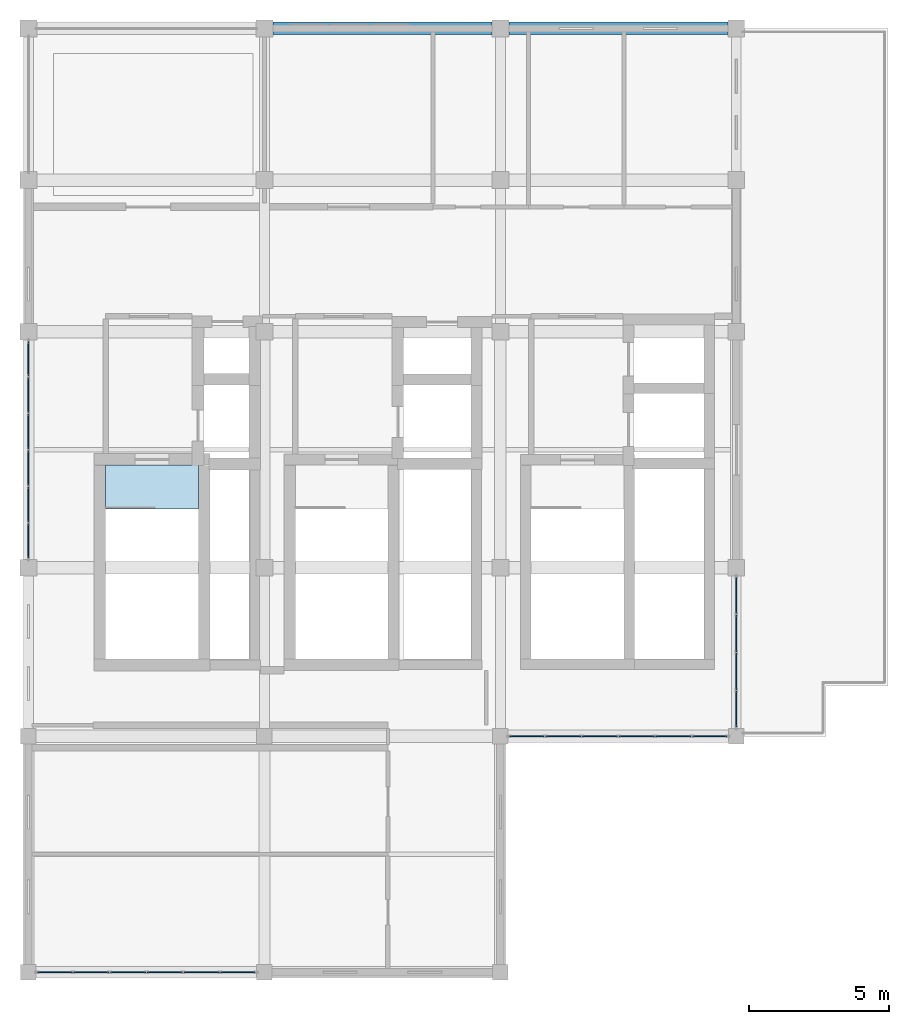
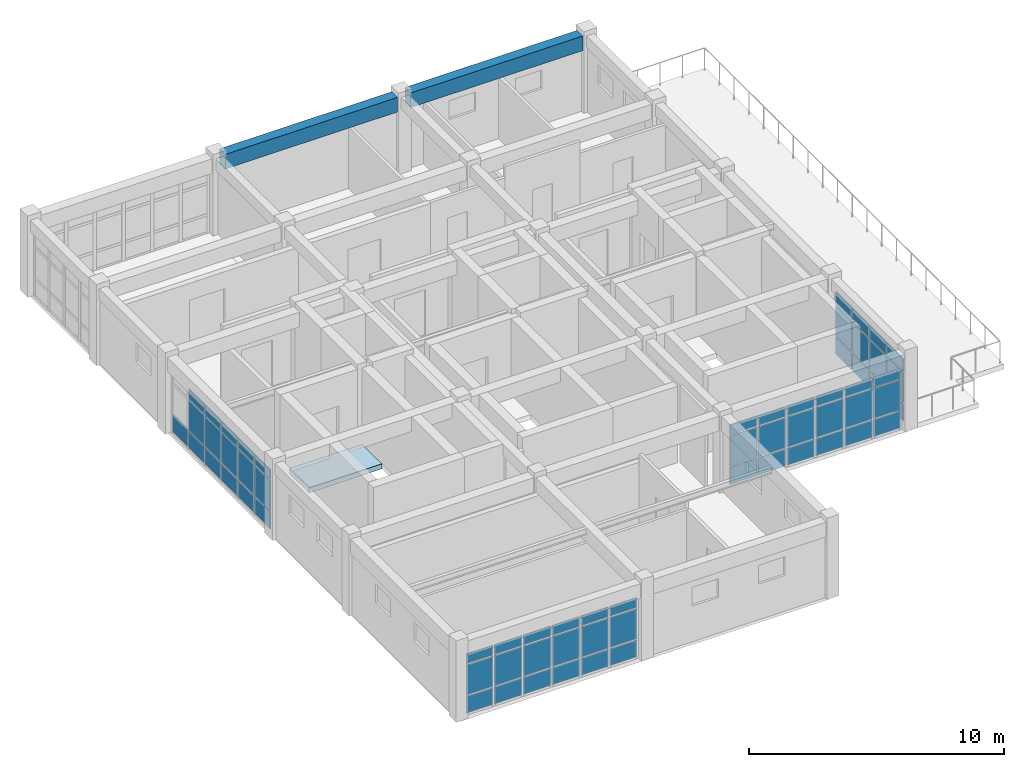
# One storey, part 12 of 17: 64 plates, 2 beams, 1 slab, 4 elements without a shape of their own.
"""IFC4 building model written with IfcOpenShell, lengths in metres."""

from ifc_helpers import new_model, si_unit, direction, frame, origin, origin_2d, place, context, subcontext, project, spatial, polyline, rectangle, outline, extrude, material, layer, layer_set, material_profile, profile_set, type_object, element, aggregate, save


model = new_model("IFC4")

# Units and contexts
model_context = context("Model", 3, precision=1e-05, world=origin(), true_north=direction((0.0, 1.0)))
body_context = subcontext(model_context, "Body", "Model", "MODEL_VIEW")
ifc_project = project(units=[si_unit("LENGTHUNIT", "METRE"), si_unit("AREAUNIT", "SQUARE_METRE"), si_unit("VOLUMEUNIT", "CUBIC_METRE"), si_unit("PLANEANGLEUNIT", "RADIAN"), si_unit("MASSUNIT", "GRAM", prefix="KILO")], contexts=[model_context])

# Site, building, storey
site_placement = place(None, origin())
site = spatial("IfcSite", under=ifc_project, at=site_placement, CompositionType="ELEMENT")
building_placement = place(site_placement, origin())
building = spatial("IfcBuilding", under=site, at=building_placement, Name="Krzemoval Escarpment Law Courts", CompositionType="ELEMENT")
storey_placement = place(building_placement, frame((0.0, 0.0, 42.0)))
storey = spatial("IfcBuildingStorey", under=building, at=storey_placement, Name="L09", CompositionType="ELEMENT", Elevation=42.0)

# Beams
ifc_material_1 = material(Name="Concrete C40/50", Category="concrete")
ifc_material_profile = material_profile(ifc_material_1, rectangle(XDim=0.449951171875, YDim=0.699951171875, at=origin_2d()), Name="RCB 450x700")
ifc_profile_set = profile_set([ifc_material_profile], Name="Concrete C40/50")
beam_type = type_object("IfcBeamType", Name="BM-RC-450x700", PredefinedType="BEAM", material=ifc_profile_set)
beam_1_placement = place(storey_placement, frame((134.699951171875, 118.800048828125, 3.31005859375), z_axis=(1.0, 0.0, 0.0), x_axis=(0.0, 1.0, 0.0)))
element("IfcBeam", 1, at=beam_1_placement, inside=storey, type_object=beam_type, Name="Beam FG-L09-2799", PredefinedType="BEAM", context=body_context, shape_type="SweptSolid", body=[
    extrude(rectangle(XDim=0.449951171875, YDim=0.699951171875, at=origin_2d()), origin(), (0.0, 0.0, 1.0), 7.800048828125),
])
beam_2_placement = place(storey_placement, frame((143.10009765625, 118.800048828125, 3.31005859375), z_axis=(1.0, 0.0, 0.0), x_axis=(0.0, 1.0, 0.0)))
element("IfcBeam", 2, at=beam_2_placement, inside=storey, type_object=beam_type, Name="Beam FG-L09-2800", PredefinedType="BEAM", context=body_context, shape_type="SweptSolid", body=[
    extrude(rectangle(XDim=0.449951171875, YDim=0.699951171875, at=origin_2d()), origin(), (0.0, 0.0, 1.0), 7.7998046875),
])

# Curtain wall, plates
ifc_material_2 = material(Name="Aluminium 6063-T6", Category="aluminium")
ifc_layer_1 = layer(ifc_material_2, 0.199951171875)
ifc_layer_set_1 = layer_set([ifc_layer_1], Name="Aluminium 6063-T6")
curtain_wall_type = type_object("IfcCurtainWallType", Name="CW-CRWN-3900", PredefinedType="USERDEFINED", material=ifc_layer_set_1)
curtain_wall_1_placement = place(storey_placement, origin())
curtain_wall_1 = element("IfcCurtainWall", 3, at=curtain_wall_1_placement, inside=storey, type_object=curtain_wall_type, Name="Unitised Curtain Wall FCW-L09-168", ObjectType="UNITISED_CURTAIN_WALL", PredefinedType="USERDEFINED")
ifc_material_3 = material(Name="Triple Glazing IGU", Category="glass")
ifc_layer_2 = layer(ifc_material_3, 0.035888671875)
ifc_layer_set_2 = layer_set([ifc_layer_2], Name="Triple Glazing IGU")
plate_type = type_object("IfcPlateType", Name="CWP-GLZ-36", PredefinedType="CURTAIN_PANEL", material=ifc_layer_set_2)
plate_1_placement = place(storey_placement, frame((133.455810546875, 85.199951171875, 0.06005859375), z_axis=(0.0, 0.0, 1.0), x_axis=(-1.0, 0.0, 0.0)))
plate_1 = element("IfcPlate", 4, at=plate_1_placement, type_object=plate_type, Name="FCW-L09-168 panel 1.1", PredefinedType="CURTAIN_PANEL", context=body_context, shape_type="SweptSolid", body=[
    extrude(rectangle(XDim=1.21826171875, YDim=0.035888671875, at=origin_2d()), origin(), (0.0, 0.0, 1.0), 0.81005859375),
])
plate_2_placement = place(storey_placement, frame((133.455810546875, 85.199951171875, 0.929931640625), z_axis=(0.0, 0.0, 1.0), x_axis=(-1.0, 0.0, 0.0)))
plate_2 = element("IfcPlate", 5, at=plate_2_placement, type_object=plate_type, Name="FCW-L09-168 panel 1.2", PredefinedType="CURTAIN_PANEL", context=body_context, shape_type="SweptSolid", body=[
    extrude(rectangle(XDim=1.21826171875, YDim=0.035888671875, at=origin_2d()), origin(), (0.0, 0.0, 1.0), 1.43994140625),
])
plate_3_placement = place(storey_placement, frame((133.455810546875, 85.199951171875, 2.43017578125), z_axis=(0.0, 0.0, 1.0), x_axis=(-1.0, 0.0, 0.0)))
plate_3 = element("IfcPlate", 6, at=plate_3_placement, type_object=plate_type, Name="FCW-L09-168 panel 1.3", PredefinedType="CURTAIN_PANEL", context=body_context, shape_type="SweptSolid", body=[
    extrude(rectangle(XDim=1.21826171875, YDim=0.035888671875, at=origin_2d()), origin(), (0.0, 0.0, 1.0), 0.469970703125),
])
plate_4_placement = place(storey_placement, frame((132.16259765625, 85.199951171875, 0.06005859375), z_axis=(0.0, 0.0, 1.0), x_axis=(-1.0, 0.0, 0.0)))
plate_4 = element("IfcPlate", 7, at=plate_4_placement, type_object=plate_type, Name="FCW-L09-168 panel 2.1", PredefinedType="CURTAIN_PANEL", context=body_context, shape_type="SweptSolid", body=[
    extrude(rectangle(XDim=1.248291015625, YDim=0.035888671875, at=origin_2d()), origin(), (0.0, 0.0, 1.0), 0.81005859375),
])
plate_5_placement = place(storey_placement, frame((132.16259765625, 85.199951171875, 0.929931640625), z_axis=(0.0, 0.0, 1.0), x_axis=(-1.0, 0.0, 0.0)))
plate_5 = element("IfcPlate", 8, at=plate_5_placement, type_object=plate_type, Name="FCW-L09-168 panel 2.2", PredefinedType="CURTAIN_PANEL", context=body_context, shape_type="SweptSolid", body=[
    extrude(rectangle(XDim=1.248291015625, YDim=0.035888671875, at=origin_2d()), origin(), (0.0, 0.0, 1.0), 1.43994140625),
])
plate_6_placement = place(storey_placement, frame((132.16259765625, 85.199951171875, 2.43017578125), z_axis=(0.0, 0.0, 1.0), x_axis=(-1.0, 0.0, 0.0)))
plate_6 = element("IfcPlate", 9, at=plate_6_placement, type_object=plate_type, Name="FCW-L09-168 panel 2.3", PredefinedType="CURTAIN_PANEL", context=body_context, shape_type="SweptSolid", body=[
    extrude(rectangle(XDim=1.248291015625, YDim=0.035888671875, at=origin_2d()), origin(), (0.0, 0.0, 1.0), 0.469970703125),
])
plate_7_placement = place(storey_placement, frame((130.854248046875, 85.199951171875, 0.06005859375), z_axis=(0.0, 0.0, 1.0), x_axis=(-1.0, 0.0, 0.0)))
plate_7 = element("IfcPlate", 10, at=plate_7_placement, type_object=plate_type, Name="FCW-L09-168 panel 3.1", PredefinedType="CURTAIN_PANEL", context=body_context, shape_type="SweptSolid", body=[
    extrude(rectangle(XDim=1.248291015625, YDim=0.035888671875, at=origin_2d()), origin(), (0.0, 0.0, 1.0), 0.81005859375),
])
plate_8_placement = place(storey_placement, frame((130.854248046875, 85.199951171875, 0.929931640625), z_axis=(0.0, 0.0, 1.0), x_axis=(-1.0, 0.0, 0.0)))
plate_8 = element("IfcPlate", 11, at=plate_8_placement, type_object=plate_type, Name="FCW-L09-168 panel 3.2", PredefinedType="CURTAIN_PANEL", context=body_context, shape_type="SweptSolid", body=[
    extrude(rectangle(XDim=1.248291015625, YDim=0.035888671875, at=origin_2d()), origin(), (0.0, 0.0, 1.0), 1.43994140625),
])
plate_9_placement = place(storey_placement, frame((130.854248046875, 85.199951171875, 2.43017578125), z_axis=(0.0, 0.0, 1.0), x_axis=(-1.0, 0.0, 0.0)))
plate_9 = element("IfcPlate", 12, at=plate_9_placement, type_object=plate_type, Name="FCW-L09-168 panel 3.3", PredefinedType="CURTAIN_PANEL", context=body_context, shape_type="SweptSolid", body=[
    extrude(rectangle(XDim=1.248291015625, YDim=0.035888671875, at=origin_2d()), origin(), (0.0, 0.0, 1.0), 0.469970703125),
])
plate_10_placement = place(storey_placement, frame((129.5458984375, 85.199951171875, 0.06005859375), z_axis=(0.0, 0.0, 1.0), x_axis=(-1.0, 0.0, 0.0)))
plate_10 = element("IfcPlate", 13, at=plate_10_placement, type_object=plate_type, Name="FCW-L09-168 panel 4.1", PredefinedType="CURTAIN_PANEL", context=body_context, shape_type="SweptSolid", body=[
    extrude(rectangle(XDim=1.248291015625, YDim=0.035888671875, at=origin_2d()), origin(), (0.0, 0.0, 1.0), 0.81005859375),
])
plate_11_placement = place(storey_placement, frame((129.5458984375, 85.199951171875, 0.929931640625), z_axis=(0.0, 0.0, 1.0), x_axis=(-1.0, 0.0, 0.0)))
plate_11 = element("IfcPlate", 14, at=plate_11_placement, type_object=plate_type, Name="FCW-L09-168 panel 4.2", PredefinedType="CURTAIN_PANEL", context=body_context, shape_type="SweptSolid", body=[
    extrude(rectangle(XDim=1.248291015625, YDim=0.035888671875, at=origin_2d()), origin(), (0.0, 0.0, 1.0), 1.43994140625),
])
plate_12_placement = place(storey_placement, frame((129.5458984375, 85.199951171875, 2.43017578125), z_axis=(0.0, 0.0, 1.0), x_axis=(-1.0, 0.0, 0.0)))
plate_12 = element("IfcPlate", 15, at=plate_12_placement, type_object=plate_type, Name="FCW-L09-168 panel 4.3", PredefinedType="CURTAIN_PANEL", context=body_context, shape_type="SweptSolid", body=[
    extrude(rectangle(XDim=1.248291015625, YDim=0.035888671875, at=origin_2d()), origin(), (0.0, 0.0, 1.0), 0.469970703125),
])
plate_13_placement = place(storey_placement, frame((128.237548828125, 85.199951171875, 0.06005859375), z_axis=(0.0, 0.0, 1.0), x_axis=(-1.0, 0.0, 0.0)))
plate_13 = element("IfcPlate", 16, at=plate_13_placement, type_object=plate_type, Name="FCW-L09-168 panel 5.1", PredefinedType="CURTAIN_PANEL", context=body_context, shape_type="SweptSolid", body=[
    extrude(rectangle(XDim=1.248291015625, YDim=0.035888671875, at=origin_2d()), origin(), (0.0, 0.0, 1.0), 0.81005859375),
])
plate_14_placement = place(storey_placement, frame((128.237548828125, 85.199951171875, 0.929931640625), z_axis=(0.0, 0.0, 1.0), x_axis=(-1.0, 0.0, 0.0)))
plate_14 = element("IfcPlate", 17, at=plate_14_placement, type_object=plate_type, Name="FCW-L09-168 panel 5.2", PredefinedType="CURTAIN_PANEL", context=body_context, shape_type="SweptSolid", body=[
    extrude(rectangle(XDim=1.248291015625, YDim=0.035888671875, at=origin_2d()), origin(), (0.0, 0.0, 1.0), 1.43994140625),
])
plate_15_placement = place(storey_placement, frame((128.237548828125, 85.199951171875, 2.43017578125), z_axis=(0.0, 0.0, 1.0), x_axis=(-1.0, 0.0, 0.0)))
plate_15 = element("IfcPlate", 18, at=plate_15_placement, type_object=plate_type, Name="FCW-L09-168 panel 5.3", PredefinedType="CURTAIN_PANEL", context=body_context, shape_type="SweptSolid", body=[
    extrude(rectangle(XDim=1.248291015625, YDim=0.035888671875, at=origin_2d()), origin(), (0.0, 0.0, 1.0), 0.469970703125),
])
plate_16_placement = place(storey_placement, frame((126.944091796875, 85.199951171875, 0.06005859375), z_axis=(0.0, 0.0, 1.0), x_axis=(-1.0, 0.0, 0.0)))
plate_16 = element("IfcPlate", 19, at=plate_16_placement, type_object=plate_type, Name="FCW-L09-168 panel 6.1", PredefinedType="CURTAIN_PANEL", context=body_context, shape_type="SweptSolid", body=[
    extrude(rectangle(XDim=1.21826171875, YDim=0.035888671875, at=origin_2d()), origin(), (0.0, 0.0, 1.0), 0.81005859375),
])
plate_17_placement = place(storey_placement, frame((126.944091796875, 85.199951171875, 0.929931640625), z_axis=(0.0, 0.0, 1.0), x_axis=(-1.0, 0.0, 0.0)))
plate_17 = element("IfcPlate", 20, at=plate_17_placement, type_object=plate_type, Name="FCW-L09-168 panel 6.2", PredefinedType="CURTAIN_PANEL", context=body_context, shape_type="SweptSolid", body=[
    extrude(rectangle(XDim=1.21826171875, YDim=0.035888671875, at=origin_2d()), origin(), (0.0, 0.0, 1.0), 1.43994140625),
])
plate_18_placement = place(storey_placement, frame((126.944091796875, 85.199951171875, 2.43017578125), z_axis=(0.0, 0.0, 1.0), x_axis=(-1.0, 0.0, 0.0)))
plate_18 = element("IfcPlate", 21, at=plate_18_placement, type_object=plate_type, Name="FCW-L09-168 panel 6.3", PredefinedType="CURTAIN_PANEL", context=body_context, shape_type="SweptSolid", body=[
    extrude(rectangle(XDim=1.21826171875, YDim=0.035888671875, at=origin_2d()), origin(), (0.0, 0.0, 1.0), 0.469970703125),
])
aggregate(curtain_wall_1, [plate_1, plate_2, plate_3, plate_4, plate_5, plate_6, plate_7, plate_8, plate_9, plate_10, plate_11, plate_12, plate_13, plate_14, plate_15, plate_16, plate_17, plate_18])

curtain_wall_2_placement = place(storey_placement, origin())
curtain_wall_2 = element("IfcCurtainWall", 22, at=curtain_wall_2_placement, inside=storey, type_object=curtain_wall_type, Name="Unitised Curtain Wall FCW-L09-169", ObjectType="UNITISED_CURTAIN_WALL", PredefinedType="USERDEFINED")
plate_19_placement = place(storey_placement, frame((126.0, 100.56494140625, 0.06005859375), z_axis=(0.0, 0.0, 1.0), x_axis=(0.0, 1.0, 0.0)))
plate_19 = element("IfcPlate", 23, at=plate_19_placement, type_object=plate_type, Name="FCW-L09-169 panel 1.1", PredefinedType="CURTAIN_PANEL", context=body_context, shape_type="SweptSolid", body=[
    extrude(rectangle(XDim=1.2099609375, YDim=0.035888671875, at=origin_2d()), origin(), (0.0, 0.0, 1.0), 0.81005859375),
])
plate_20_placement = place(storey_placement, frame((126.0, 100.56494140625, 0.929931640625), z_axis=(0.0, 0.0, 1.0), x_axis=(0.0, 1.0, 0.0)))
plate_20 = element("IfcPlate", 24, at=plate_20_placement, type_object=plate_type, Name="FCW-L09-169 panel 1.2", PredefinedType="CURTAIN_PANEL", context=body_context, shape_type="SweptSolid", body=[
    extrude(rectangle(XDim=1.2099609375, YDim=0.035888671875, at=origin_2d()), origin(), (0.0, 0.0, 1.0), 1.43994140625),
])
plate_21_placement = place(storey_placement, frame((126.0, 100.56494140625, 2.43017578125), z_axis=(0.0, 0.0, 1.0), x_axis=(0.0, 1.0, 0.0)))
plate_21 = element("IfcPlate", 25, at=plate_21_placement, type_object=plate_type, Name="FCW-L09-169 panel 1.3", PredefinedType="CURTAIN_PANEL", context=body_context, shape_type="SweptSolid", body=[
    extrude(rectangle(XDim=1.2099609375, YDim=0.035888671875, at=origin_2d()), origin(), (0.0, 0.0, 1.0), 0.469970703125),
])
plate_22_placement = place(storey_placement, frame((126.0, 101.85009765625, 0.06005859375), z_axis=(0.0, 0.0, 1.0), x_axis=(0.0, 1.0, 0.0)))
plate_22 = element("IfcPlate", 26, at=plate_22_placement, type_object=plate_type, Name="FCW-L09-169 panel 2.1", PredefinedType="CURTAIN_PANEL", context=body_context, shape_type="SweptSolid", body=[
    extrude(rectangle(XDim=1.239990234375, YDim=0.035888671875, at=origin_2d()), origin(), (0.0, 0.0, 1.0), 0.81005859375),
])
plate_23_placement = place(storey_placement, frame((126.0, 101.85009765625, 0.929931640625), z_axis=(0.0, 0.0, 1.0), x_axis=(0.0, 1.0, 0.0)))
plate_23 = element("IfcPlate", 27, at=plate_23_placement, type_object=plate_type, Name="FCW-L09-169 panel 2.2", PredefinedType="CURTAIN_PANEL", context=body_context, shape_type="SweptSolid", body=[
    extrude(rectangle(XDim=1.239990234375, YDim=0.035888671875, at=origin_2d()), origin(), (0.0, 0.0, 1.0), 1.43994140625),
])
plate_24_placement = place(storey_placement, frame((126.0, 101.85009765625, 2.43017578125), z_axis=(0.0, 0.0, 1.0), x_axis=(0.0, 1.0, 0.0)))
plate_24 = element("IfcPlate", 28, at=plate_24_placement, type_object=plate_type, Name="FCW-L09-169 panel 2.3", PredefinedType="CURTAIN_PANEL", context=body_context, shape_type="SweptSolid", body=[
    extrude(rectangle(XDim=1.239990234375, YDim=0.035888671875, at=origin_2d()), origin(), (0.0, 0.0, 1.0), 0.469970703125),
])
plate_25_placement = place(storey_placement, frame((126.0, 103.14990234375, 0.06005859375), z_axis=(0.0, 0.0, 1.0), x_axis=(0.0, 1.0, 0.0)))
plate_25 = element("IfcPlate", 29, at=plate_25_placement, type_object=plate_type, Name="FCW-L09-169 panel 3.1", PredefinedType="CURTAIN_PANEL", context=body_context, shape_type="SweptSolid", body=[
    extrude(rectangle(XDim=1.239990234375, YDim=0.035888671875, at=origin_2d()), origin(), (0.0, 0.0, 1.0), 0.81005859375),
])
plate_26_placement = place(storey_placement, frame((126.0, 103.14990234375, 0.929931640625), z_axis=(0.0, 0.0, 1.0), x_axis=(0.0, 1.0, 0.0)))
plate_26 = element("IfcPlate", 30, at=plate_26_placement, type_object=plate_type, Name="FCW-L09-169 panel 3.2", PredefinedType="CURTAIN_PANEL", context=body_context, shape_type="SweptSolid", body=[
    extrude(rectangle(XDim=1.239990234375, YDim=0.035888671875, at=origin_2d()), origin(), (0.0, 0.0, 1.0), 1.43994140625),
])
plate_27_placement = place(storey_placement, frame((126.0, 103.14990234375, 2.43017578125), z_axis=(0.0, 0.0, 1.0), x_axis=(0.0, 1.0, 0.0)))
plate_27 = element("IfcPlate", 31, at=plate_27_placement, type_object=plate_type, Name="FCW-L09-169 panel 3.3", PredefinedType="CURTAIN_PANEL", context=body_context, shape_type="SweptSolid", body=[
    extrude(rectangle(XDim=1.239990234375, YDim=0.035888671875, at=origin_2d()), origin(), (0.0, 0.0, 1.0), 0.469970703125),
])
plate_28_placement = place(storey_placement, frame((126.0, 104.449951171875, 0.06005859375), z_axis=(0.0, 0.0, 1.0), x_axis=(0.0, 1.0, 0.0)))
plate_28 = element("IfcPlate", 32, at=plate_28_placement, type_object=plate_type, Name="FCW-L09-169 panel 4.1", PredefinedType="CURTAIN_PANEL", context=body_context, shape_type="SweptSolid", body=[
    extrude(rectangle(XDim=1.239990234375, YDim=0.035888671875, at=origin_2d()), origin(), (0.0, 0.0, 1.0), 0.81005859375),
])
plate_29_placement = place(storey_placement, frame((126.0, 104.449951171875, 0.929931640625), z_axis=(0.0, 0.0, 1.0), x_axis=(0.0, 1.0, 0.0)))
plate_29 = element("IfcPlate", 33, at=plate_29_placement, type_object=plate_type, Name="FCW-L09-169 panel 4.2", PredefinedType="CURTAIN_PANEL", context=body_context, shape_type="SweptSolid", body=[
    extrude(rectangle(XDim=1.239990234375, YDim=0.035888671875, at=origin_2d()), origin(), (0.0, 0.0, 1.0), 1.43994140625),
])
plate_30_placement = place(storey_placement, frame((126.0, 104.449951171875, 2.43017578125), z_axis=(0.0, 0.0, 1.0), x_axis=(0.0, 1.0, 0.0)))
plate_30 = element("IfcPlate", 34, at=plate_30_placement, type_object=plate_type, Name="FCW-L09-169 panel 4.3", PredefinedType="CURTAIN_PANEL", context=body_context, shape_type="SweptSolid", body=[
    extrude(rectangle(XDim=1.239990234375, YDim=0.035888671875, at=origin_2d()), origin(), (0.0, 0.0, 1.0), 0.469970703125),
])
plate_31_placement = place(storey_placement, frame((126.0, 105.75, 0.06005859375), z_axis=(0.0, 0.0, 1.0), x_axis=(0.0, 1.0, 0.0)))
plate_31 = element("IfcPlate", 35, at=plate_31_placement, type_object=plate_type, Name="FCW-L09-169 panel 5.1", PredefinedType="CURTAIN_PANEL", context=body_context, shape_type="SweptSolid", body=[
    extrude(rectangle(XDim=1.239990234375, YDim=0.035888671875, at=origin_2d()), origin(), (0.0, 0.0, 1.0), 0.81005859375),
])
plate_32_placement = place(storey_placement, frame((126.0, 105.75, 0.929931640625), z_axis=(0.0, 0.0, 1.0), x_axis=(0.0, 1.0, 0.0)))
plate_32 = element("IfcPlate", 36, at=plate_32_placement, type_object=plate_type, Name="FCW-L09-169 panel 5.2", PredefinedType="CURTAIN_PANEL", context=body_context, shape_type="SweptSolid", body=[
    extrude(rectangle(XDim=1.239990234375, YDim=0.035888671875, at=origin_2d()), origin(), (0.0, 0.0, 1.0), 1.43994140625),
])
plate_33_placement = place(storey_placement, frame((126.0, 105.75, 2.43017578125), z_axis=(0.0, 0.0, 1.0), x_axis=(0.0, 1.0, 0.0)))
plate_33 = element("IfcPlate", 37, at=plate_33_placement, type_object=plate_type, Name="FCW-L09-169 panel 5.3", PredefinedType="CURTAIN_PANEL", context=body_context, shape_type="SweptSolid", body=[
    extrude(rectangle(XDim=1.239990234375, YDim=0.035888671875, at=origin_2d()), origin(), (0.0, 0.0, 1.0), 0.469970703125),
])
plate_34_placement = place(storey_placement, frame((126.0, 107.034912109375, 0.06005859375), z_axis=(0.0, 0.0, 1.0), x_axis=(0.0, 1.0, 0.0)))
plate_34 = element("IfcPlate", 38, at=plate_34_placement, type_object=plate_type, Name="FCW-L09-169 panel 6.1", PredefinedType="CURTAIN_PANEL", context=body_context, shape_type="SweptSolid", body=[
    extrude(rectangle(XDim=1.2099609375, YDim=0.035888671875, at=origin_2d()), origin(), (0.0, 0.0, 1.0), 0.81005859375),
])
aggregate(curtain_wall_2, [plate_19, plate_20, plate_21, plate_22, plate_23, plate_24, plate_25, plate_26, plate_27, plate_28, plate_29, plate_30, plate_31, plate_32, plate_33, plate_34])

curtain_wall_3_placement = place(storey_placement, origin())
curtain_wall_3 = element("IfcCurtainWall", 39, at=curtain_wall_3_placement, inside=storey, type_object=curtain_wall_type, Name="Unitised Curtain Wall FCW-L09-172", ObjectType="UNITISED_CURTAIN_WALL", PredefinedType="USERDEFINED")
plate_35_placement = place(storey_placement, frame((151.199951171875, 98.60693359375, 0.06005859375), z_axis=(0.0, 0.0, 1.0), x_axis=(0.0, -1.0, 0.0)))
plate_35 = element("IfcPlate", 40, at=plate_35_placement, type_object=plate_type, Name="FCW-L09-172 panel 1.1", PredefinedType="CURTAIN_PANEL", context=body_context, shape_type="SweptSolid", body=[
    extrude(rectangle(XDim=1.266357421875, YDim=0.035888671875, at=origin_2d()), origin(), (0.0, 0.0, 1.0), 0.81005859375),
])
plate_36_placement = place(storey_placement, frame((151.199951171875, 98.60693359375, 0.929931640625), z_axis=(0.0, 0.0, 1.0), x_axis=(0.0, -1.0, 0.0)))
plate_36 = element("IfcPlate", 41, at=plate_36_placement, type_object=plate_type, Name="FCW-L09-172 panel 1.2", PredefinedType="CURTAIN_PANEL", context=body_context, shape_type="SweptSolid", body=[
    extrude(rectangle(XDim=1.266357421875, YDim=0.035888671875, at=origin_2d()), origin(), (0.0, 0.0, 1.0), 1.43994140625),
])
plate_37_placement = place(storey_placement, frame((151.199951171875, 98.60693359375, 2.429931640625), z_axis=(0.0, 0.0, 1.0), x_axis=(0.0, -1.0, 0.0)))
plate_37 = element("IfcPlate", 42, at=plate_37_placement, type_object=plate_type, Name="FCW-L09-172 panel 1.3", PredefinedType="CURTAIN_PANEL", context=body_context, shape_type="SweptSolid", body=[
    extrude(rectangle(XDim=1.266357421875, YDim=0.035888671875, at=origin_2d()), origin(), (0.0, 0.0, 1.0), 0.6201171875),
])
plate_38_placement = place(storey_placement, frame((151.199951171875, 97.265625, 0.06005859375), z_axis=(0.0, 0.0, 1.0), x_axis=(0.0, -1.0, 0.0)))
plate_38 = element("IfcPlate", 43, at=plate_38_placement, type_object=plate_type, Name="FCW-L09-172 panel 2.1", PredefinedType="CURTAIN_PANEL", context=body_context, shape_type="SweptSolid", body=[
    extrude(rectangle(XDim=1.296142578125, YDim=0.035888671875, at=origin_2d()), origin(), (0.0, 0.0, 1.0), 0.81005859375),
])
plate_39_placement = place(storey_placement, frame((151.199951171875, 97.265625, 0.929931640625), z_axis=(0.0, 0.0, 1.0), x_axis=(0.0, -1.0, 0.0)))
plate_39 = element("IfcPlate", 44, at=plate_39_placement, type_object=plate_type, Name="FCW-L09-172 panel 2.2", PredefinedType="CURTAIN_PANEL", context=body_context, shape_type="SweptSolid", body=[
    extrude(rectangle(XDim=1.296142578125, YDim=0.035888671875, at=origin_2d()), origin(), (0.0, 0.0, 1.0), 1.43994140625),
])
plate_40_placement = place(storey_placement, frame((151.199951171875, 97.265625, 2.429931640625), z_axis=(0.0, 0.0, 1.0), x_axis=(0.0, -1.0, 0.0)))
plate_40 = element("IfcPlate", 45, at=plate_40_placement, type_object=plate_type, Name="FCW-L09-172 panel 2.3", PredefinedType="CURTAIN_PANEL", context=body_context, shape_type="SweptSolid", body=[
    extrude(rectangle(XDim=1.296142578125, YDim=0.035888671875, at=origin_2d()), origin(), (0.0, 0.0, 1.0), 0.6201171875),
])
plate_41_placement = place(storey_placement, frame((151.199951171875, 95.909423828125, 0.06005859375), z_axis=(0.0, 0.0, 1.0), x_axis=(0.0, -1.0, 0.0)))
plate_41 = element("IfcPlate", 46, at=plate_41_placement, type_object=plate_type, Name="FCW-L09-172 panel 3.1", PredefinedType="CURTAIN_PANEL", context=body_context, shape_type="SweptSolid", body=[
    extrude(rectangle(XDim=1.296142578125, YDim=0.035888671875, at=origin_2d()), origin(), (0.0, 0.0, 1.0), 0.81005859375),
])
plate_42_placement = place(storey_placement, frame((151.199951171875, 95.909423828125, 0.929931640625), z_axis=(0.0, 0.0, 1.0), x_axis=(0.0, -1.0, 0.0)))
plate_42 = element("IfcPlate", 47, at=plate_42_placement, type_object=plate_type, Name="FCW-L09-172 panel 3.2", PredefinedType="CURTAIN_PANEL", context=body_context, shape_type="SweptSolid", body=[
    extrude(rectangle(XDim=1.296142578125, YDim=0.035888671875, at=origin_2d()), origin(), (0.0, 0.0, 1.0), 1.43994140625),
])
plate_43_placement = place(storey_placement, frame((151.199951171875, 95.909423828125, 2.429931640625), z_axis=(0.0, 0.0, 1.0), x_axis=(0.0, -1.0, 0.0)))
plate_43 = element("IfcPlate", 48, at=plate_43_placement, type_object=plate_type, Name="FCW-L09-172 panel 3.3", PredefinedType="CURTAIN_PANEL", context=body_context, shape_type="SweptSolid", body=[
    extrude(rectangle(XDim=1.296142578125, YDim=0.035888671875, at=origin_2d()), origin(), (0.0, 0.0, 1.0), 0.6201171875),
])
plate_44_placement = place(storey_placement, frame((151.199951171875, 94.568115234375, 0.06005859375), z_axis=(0.0, 0.0, 1.0), x_axis=(0.0, -1.0, 0.0)))
plate_44 = element("IfcPlate", 49, at=plate_44_placement, type_object=plate_type, Name="FCW-L09-172 panel 4.1", PredefinedType="CURTAIN_PANEL", context=body_context, shape_type="SweptSolid", body=[
    extrude(rectangle(XDim=1.266357421875, YDim=0.035888671875, at=origin_2d()), origin(), (0.0, 0.0, 1.0), 0.81005859375),
])
plate_45_placement = place(storey_placement, frame((151.199951171875, 94.568115234375, 0.929931640625), z_axis=(0.0, 0.0, 1.0), x_axis=(0.0, -1.0, 0.0)))
plate_45 = element("IfcPlate", 50, at=plate_45_placement, type_object=plate_type, Name="FCW-L09-172 panel 4.2", PredefinedType="CURTAIN_PANEL", context=body_context, shape_type="SweptSolid", body=[
    extrude(rectangle(XDim=1.266357421875, YDim=0.035888671875, at=origin_2d()), origin(), (0.0, 0.0, 1.0), 1.43994140625),
])
plate_46_placement = place(storey_placement, frame((151.199951171875, 94.568115234375, 2.429931640625), z_axis=(0.0, 0.0, 1.0), x_axis=(0.0, -1.0, 0.0)))
plate_46 = element("IfcPlate", 51, at=plate_46_placement, type_object=plate_type, Name="FCW-L09-172 panel 4.3", PredefinedType="CURTAIN_PANEL", context=body_context, shape_type="SweptSolid", body=[
    extrude(rectangle(XDim=1.266357421875, YDim=0.035888671875, at=origin_2d()), origin(), (0.0, 0.0, 1.0), 0.6201171875),
])
aggregate(curtain_wall_3, [plate_35, plate_36, plate_37, plate_38, plate_39, plate_40, plate_41, plate_42, plate_43, plate_44, plate_45, plate_46])

curtain_wall_4_placement = place(storey_placement, origin())
curtain_wall_4 = element("IfcCurtainWall", 52, at=curtain_wall_4_placement, inside=storey, type_object=curtain_wall_type, Name="Unitised Curtain Wall FCW-L09-173", ObjectType="UNITISED_CURTAIN_WALL", PredefinedType="USERDEFINED")
plate_47_placement = place(storey_placement, frame((150.255859375, 93.60009765625, 0.06005859375), z_axis=(0.0, 0.0, 1.0), x_axis=(-1.0, 0.0, 0.0)))
plate_47 = element("IfcPlate", 53, at=plate_47_placement, type_object=plate_type, Name="FCW-L09-173 panel 1.1", PredefinedType="CURTAIN_PANEL", context=body_context, shape_type="SweptSolid", body=[
    extrude(rectangle(XDim=1.21826171875, YDim=0.035888671875, at=origin_2d()), origin(), (0.0, 0.0, 1.0), 0.81005859375),
])
plate_48_placement = place(storey_placement, frame((150.255859375, 93.60009765625, 0.929931640625), z_axis=(0.0, 0.0, 1.0), x_axis=(-1.0, 0.0, 0.0)))
plate_48 = element("IfcPlate", 54, at=plate_48_placement, type_object=plate_type, Name="FCW-L09-173 panel 1.2", PredefinedType="CURTAIN_PANEL", context=body_context, shape_type="SweptSolid", body=[
    extrude(rectangle(XDim=1.21826171875, YDim=0.035888671875, at=origin_2d()), origin(), (0.0, 0.0, 1.0), 1.43994140625),
])
plate_49_placement = place(storey_placement, frame((150.255859375, 93.60009765625, 2.43017578125), z_axis=(0.0, 0.0, 1.0), x_axis=(-1.0, 0.0, 0.0)))
plate_49 = element("IfcPlate", 55, at=plate_49_placement, type_object=plate_type, Name="FCW-L09-173 panel 1.3", PredefinedType="CURTAIN_PANEL", context=body_context, shape_type="SweptSolid", body=[
    extrude(rectangle(XDim=1.21826171875, YDim=0.035888671875, at=origin_2d()), origin(), (0.0, 0.0, 1.0), 0.469970703125),
])
plate_50_placement = place(storey_placement, frame((148.96240234375, 93.60009765625, 0.06005859375), z_axis=(0.0, 0.0, 1.0), x_axis=(-1.0, 0.0, 0.0)))
plate_50 = element("IfcPlate", 56, at=plate_50_placement, type_object=plate_type, Name="FCW-L09-173 panel 2.1", PredefinedType="CURTAIN_PANEL", context=body_context, shape_type="SweptSolid", body=[
    extrude(rectangle(XDim=1.248291015625, YDim=0.035888671875, at=origin_2d()), origin(), (0.0, 0.0, 1.0), 0.81005859375),
])
plate_51_placement = place(storey_placement, frame((148.96240234375, 93.60009765625, 0.929931640625), z_axis=(0.0, 0.0, 1.0), x_axis=(-1.0, 0.0, 0.0)))
plate_51 = element("IfcPlate", 57, at=plate_51_placement, type_object=plate_type, Name="FCW-L09-173 panel 2.2", PredefinedType="CURTAIN_PANEL", context=body_context, shape_type="SweptSolid", body=[
    extrude(rectangle(XDim=1.248291015625, YDim=0.035888671875, at=origin_2d()), origin(), (0.0, 0.0, 1.0), 1.43994140625),
])
plate_52_placement = place(storey_placement, frame((148.96240234375, 93.60009765625, 2.43017578125), z_axis=(0.0, 0.0, 1.0), x_axis=(-1.0, 0.0, 0.0)))
plate_52 = element("IfcPlate", 58, at=plate_52_placement, type_object=plate_type, Name="FCW-L09-173 panel 2.3", PredefinedType="CURTAIN_PANEL", context=body_context, shape_type="SweptSolid", body=[
    extrude(rectangle(XDim=1.248291015625, YDim=0.035888671875, at=origin_2d()), origin(), (0.0, 0.0, 1.0), 0.469970703125),
])
plate_53_placement = place(storey_placement, frame((147.654052734375, 93.60009765625, 0.06005859375), z_axis=(0.0, 0.0, 1.0), x_axis=(-1.0, 0.0, 0.0)))
plate_53 = element("IfcPlate", 59, at=plate_53_placement, type_object=plate_type, Name="FCW-L09-173 panel 3.1", PredefinedType="CURTAIN_PANEL", context=body_context, shape_type="SweptSolid", body=[
    extrude(rectangle(XDim=1.248291015625, YDim=0.035888671875, at=origin_2d()), origin(), (0.0, 0.0, 1.0), 0.81005859375),
])
plate_54_placement = place(storey_placement, frame((147.654052734375, 93.60009765625, 0.929931640625), z_axis=(0.0, 0.0, 1.0), x_axis=(-1.0, 0.0, 0.0)))
plate_54 = element("IfcPlate", 60, at=plate_54_placement, type_object=plate_type, Name="FCW-L09-173 panel 3.2", PredefinedType="CURTAIN_PANEL", context=body_context, shape_type="SweptSolid", body=[
    extrude(rectangle(XDim=1.248291015625, YDim=0.035888671875, at=origin_2d()), origin(), (0.0, 0.0, 1.0), 1.43994140625),
])
plate_55_placement = place(storey_placement, frame((147.654052734375, 93.60009765625, 2.43017578125), z_axis=(0.0, 0.0, 1.0), x_axis=(-1.0, 0.0, 0.0)))
plate_55 = element("IfcPlate", 61, at=plate_55_placement, type_object=plate_type, Name="FCW-L09-173 panel 3.3", PredefinedType="CURTAIN_PANEL", context=body_context, shape_type="SweptSolid", body=[
    extrude(rectangle(XDim=1.248291015625, YDim=0.035888671875, at=origin_2d()), origin(), (0.0, 0.0, 1.0), 0.469970703125),
])
plate_56_placement = place(storey_placement, frame((146.345947265625, 93.60009765625, 0.06005859375), z_axis=(0.0, 0.0, 1.0), x_axis=(-1.0, 0.0, 0.0)))
plate_56 = element("IfcPlate", 62, at=plate_56_placement, type_object=plate_type, Name="FCW-L09-173 panel 4.1", PredefinedType="CURTAIN_PANEL", context=body_context, shape_type="SweptSolid", body=[
    extrude(rectangle(XDim=1.248291015625, YDim=0.035888671875, at=origin_2d()), origin(), (0.0, 0.0, 1.0), 0.81005859375),
])
plate_57_placement = place(storey_placement, frame((146.345947265625, 93.60009765625, 0.929931640625), z_axis=(0.0, 0.0, 1.0), x_axis=(-1.0, 0.0, 0.0)))
plate_57 = element("IfcPlate", 63, at=plate_57_placement, type_object=plate_type, Name="FCW-L09-173 panel 4.2", PredefinedType="CURTAIN_PANEL", context=body_context, shape_type="SweptSolid", body=[
    extrude(rectangle(XDim=1.248291015625, YDim=0.035888671875, at=origin_2d()), origin(), (0.0, 0.0, 1.0), 1.43994140625),
])
plate_58_placement = place(storey_placement, frame((146.345947265625, 93.60009765625, 2.43017578125), z_axis=(0.0, 0.0, 1.0), x_axis=(-1.0, 0.0, 0.0)))
plate_58 = element("IfcPlate", 64, at=plate_58_placement, type_object=plate_type, Name="FCW-L09-173 panel 4.3", PredefinedType="CURTAIN_PANEL", context=body_context, shape_type="SweptSolid", body=[
    extrude(rectangle(XDim=1.248291015625, YDim=0.035888671875, at=origin_2d()), origin(), (0.0, 0.0, 1.0), 0.469970703125),
])
plate_59_placement = place(storey_placement, frame((145.03759765625, 93.60009765625, 0.06005859375), z_axis=(0.0, 0.0, 1.0), x_axis=(-1.0, 0.0, 0.0)))
plate_59 = element("IfcPlate", 65, at=plate_59_placement, type_object=plate_type, Name="FCW-L09-173 panel 5.1", PredefinedType="CURTAIN_PANEL", context=body_context, shape_type="SweptSolid", body=[
    extrude(rectangle(XDim=1.248291015625, YDim=0.035888671875, at=origin_2d()), origin(), (0.0, 0.0, 1.0), 0.81005859375),
])
plate_60_placement = place(storey_placement, frame((145.03759765625, 93.60009765625, 0.929931640625), z_axis=(0.0, 0.0, 1.0), x_axis=(-1.0, 0.0, 0.0)))
plate_60 = element("IfcPlate", 66, at=plate_60_placement, type_object=plate_type, Name="FCW-L09-173 panel 5.2", PredefinedType="CURTAIN_PANEL", context=body_context, shape_type="SweptSolid", body=[
    extrude(rectangle(XDim=1.248291015625, YDim=0.035888671875, at=origin_2d()), origin(), (0.0, 0.0, 1.0), 1.43994140625),
])
plate_61_placement = place(storey_placement, frame((145.03759765625, 93.60009765625, 2.43017578125), z_axis=(0.0, 0.0, 1.0), x_axis=(-1.0, 0.0, 0.0)))
plate_61 = element("IfcPlate", 67, at=plate_61_placement, type_object=plate_type, Name="FCW-L09-173 panel 5.3", PredefinedType="CURTAIN_PANEL", context=body_context, shape_type="SweptSolid", body=[
    extrude(rectangle(XDim=1.248291015625, YDim=0.035888671875, at=origin_2d()), origin(), (0.0, 0.0, 1.0), 0.469970703125),
])
plate_62_placement = place(storey_placement, frame((143.744140625, 93.60009765625, 0.06005859375), z_axis=(0.0, 0.0, 1.0), x_axis=(-1.0, 0.0, 0.0)))
plate_62 = element("IfcPlate", 68, at=plate_62_placement, type_object=plate_type, Name="FCW-L09-173 panel 6.1", PredefinedType="CURTAIN_PANEL", context=body_context, shape_type="SweptSolid", body=[
    extrude(rectangle(XDim=1.21826171875, YDim=0.035888671875, at=origin_2d()), origin(), (0.0, 0.0, 1.0), 0.81005859375),
])
plate_63_placement = place(storey_placement, frame((143.744140625, 93.60009765625, 0.929931640625), z_axis=(0.0, 0.0, 1.0), x_axis=(-1.0, 0.0, 0.0)))
plate_63 = element("IfcPlate", 69, at=plate_63_placement, type_object=plate_type, Name="FCW-L09-173 panel 6.2", PredefinedType="CURTAIN_PANEL", context=body_context, shape_type="SweptSolid", body=[
    extrude(rectangle(XDim=1.21826171875, YDim=0.035888671875, at=origin_2d()), origin(), (0.0, 0.0, 1.0), 1.43994140625),
])
plate_64_placement = place(storey_placement, frame((143.744140625, 93.60009765625, 2.43017578125), z_axis=(0.0, 0.0, 1.0), x_axis=(-1.0, 0.0, 0.0)))
plate_64 = element("IfcPlate", 70, at=plate_64_placement, type_object=plate_type, Name="FCW-L09-173 panel 6.3", PredefinedType="CURTAIN_PANEL", context=body_context, shape_type="SweptSolid", body=[
    extrude(rectangle(XDim=1.21826171875, YDim=0.035888671875, at=origin_2d()), origin(), (0.0, 0.0, 1.0), 0.469970703125),
])
aggregate(curtain_wall_4, [plate_47, plate_48, plate_49, plate_50, plate_51, plate_52, plate_53, plate_54, plate_55, plate_56, plate_57, plate_58, plate_59, plate_60, plate_61, plate_62, plate_63, plate_64])

# Slab
ifc_material_4 = material(Name="Concrete C40/50", Category="concrete")
ifc_layer_3 = layer(ifc_material_4, 0.239990234375)
ifc_layer_set_3 = layer_set([ifc_layer_3], Name="Concrete C40/50")
slab_type = type_object("IfcSlabType", Name="SL-FLR-240", PredefinedType="FLOOR", material=ifc_layer_set_3)
slab_placement = place(storey_placement, frame((0.0, 0.0, -0.239990234375)))
element("IfcSlab", 71, at=slab_placement, inside=storey, type_object=slab_type, Name="Core Floor Landing Slab SL-ST1-L09-FL", PredefinedType="FLOOR", context=body_context, shape_type="SweptSolid", body=[
    extrude(outline(polyline([(128.75, 103.25), (128.75, 101.699951171875), (132.050048828125, 101.699951171875), (132.050048828125, 103.25), (128.75, 103.25)])), origin(), (0.0, 0.0, 1.0), 0.239990234375),
])

save(model, "model.ifc")
